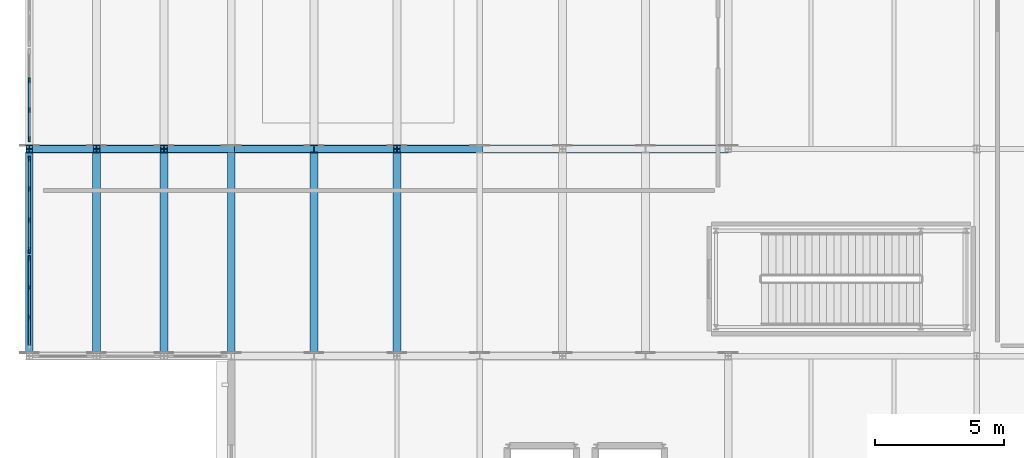
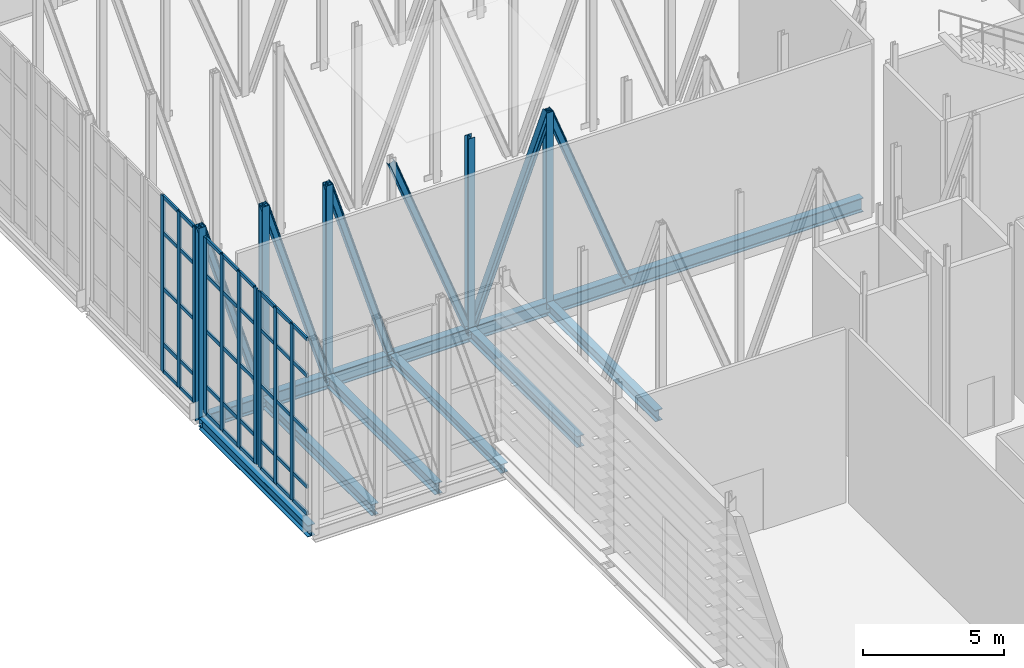
# One storey, part 17 of 73: 61 members, 7 beams, 3 elements without a shape of their own.
"""IFC4 building model written with IfcOpenShell, lengths in metres."""

from ifc_helpers import new_model, si_unit, direction, frame, origin, origin_2d, place, context, subcontext, project, spatial, rectangle, i_section, extrude, material, layer, layer_set, material_profile, profile_set, type_object, element, aggregate, save


model = new_model("IFC4")

# Units and contexts
model_context = context("Model", 3, precision=1e-05, world=origin(), true_north=direction((0.0, 1.0)))
body_context = subcontext(model_context, "Body", "Model", "MODEL_VIEW")
ifc_project = project(units=[si_unit("LENGTHUNIT", "METRE"), si_unit("AREAUNIT", "SQUARE_METRE"), si_unit("VOLUMEUNIT", "CUBIC_METRE"), si_unit("PLANEANGLEUNIT", "RADIAN"), si_unit("MASSUNIT", "GRAM", prefix="KILO")], contexts=[model_context])

# Site, building, storey
site_placement = place(None, origin())
site = spatial("IfcSite", under=ifc_project, at=site_placement, CompositionType="ELEMENT")
building_placement = place(site_placement, origin())
building = spatial("IfcBuilding", under=site, at=building_placement, Name="Alderhovde Museum", CompositionType="ELEMENT")
storey_placement = place(building_placement, frame((0.0, 0.0, 17.39990234375)))
storey = spatial("IfcBuildingStorey", under=building, at=storey_placement, Name="L04", CompositionType="ELEMENT", Elevation=17.39990234375)

# Beams
ifc_material_1 = material(Name="Steel S355J2", Category="steel")
ifc_material_profile_1 = material_profile(ifc_material_1, i_section(OverallWidth=0.300048828125, OverallDepth=0.389892578125, WebThickness=0.010986328125, FlangeThickness=0.01904296875, FilletRadius=0.027099609375, at=origin_2d()), Name="HEA 400")
ifc_profile_set_1 = profile_set([ifc_material_profile_1], Name="Steel S355J2")
beam_type_1 = type_object("IfcBeamType", Name="BM-HEA400", PredefinedType="BEAM", material=ifc_profile_set_1)
beam_1_placement = place(storey_placement, frame((9.60009765625, 80.0, -0.474853515625), z_axis=(0.0, 1.0, 0.0), x_axis=(-1.0, 0.0, 0.0)))
element("IfcBeam", 1, at=beam_1_placement, inside=storey, type_object=beam_type_1, Name="L04 Grid Beam X=9.6 (80.0 TO 88.0)", PredefinedType="BEAM", context=body_context, shape_type="SweptSolid", body=[
    extrude(i_section(OverallWidth=0.300048828125, OverallDepth=0.389892578125, WebThickness=0.010986328125, FlangeThickness=0.01904296875, FilletRadius=0.027099609375, at=origin_2d()), origin(), (0.0, 0.0, 1.0), 8.0),
])
ifc_material_2 = material(Name="Steel S355J2", Category="steel")
ifc_material_profile_2 = material_profile(ifc_material_2, i_section(OverallWidth=0.300048828125, OverallDepth=0.489990234375, WebThickness=0.011962890625, FlangeThickness=0.02294921875, FilletRadius=0.027099609375, at=origin_2d()), Name="HEA 500")
ifc_profile_set_2 = profile_set([ifc_material_profile_2], Name="Steel S355J2")
beam_type_2 = type_object("IfcBeamType", Name="BM-HEA500", PredefinedType="BEAM", material=ifc_profile_set_2)
for number, where, z_axis, x_axis, name in (
    (2, (1.800048828125, 80.14990234375, -0.52490234375), (0.0, 1.0, 0.0), (-1.0, 0.0, 0.0), "L04 Transfer Transverse Beam X=1.8"),
    (3, (4.39990234375, 80.14990234375, -0.52490234375), (0.0, 1.0, 0.0), (-1.0, 0.0, 0.0), "L04 Transfer Transverse Beam X=4.4"),
    (4, (7.0, 80.14990234375, -0.52490234375), (0.0, 1.0, 0.0), (-1.0, 0.0, 0.0), "L04 Transfer Transverse Beam X=7.0"),
    (5, (12.800048828125, 80.14990234375, -0.52490234375), (0.0, 1.0, 0.0), (-1.0, 0.0, 0.0), "L04 Transfer Transverse Beam X=12.8"),
    (6, (16.0, 80.14990234375, -0.52490234375), (0.0, 1.0, 0.0), (-1.0, 0.0, 0.0), "L04 Transfer Transverse Beam X=16.0"),
):
    element("IfcBeam", number, at=place(storey_placement, frame(where, z_axis=z_axis, x_axis=x_axis)), inside=storey, type_object=beam_type_2, Name=name, PredefinedType="BEAM", context=body_context, shape_type="SweptSolid", body=[
        extrude(i_section(OverallWidth=0.300048828125, OverallDepth=0.489990234375, WebThickness=0.011962890625, FlangeThickness=0.02294921875, FilletRadius=0.027099609375, at=origin_2d()), origin(), (0.0, 0.0, 1.0), 7.7001953125),
    ])
ifc_material_3 = material(Name="Steel S355J2", Category="steel")
ifc_material_profile_3 = material_profile(ifc_material_3, i_section(OverallWidth=0.300048828125, OverallDepth=0.60009765625, WebThickness=0.015380859375, FlangeThickness=0.030029296875, FilletRadius=0.027099609375, at=origin_2d()), Name="HEB 600")
ifc_profile_set_3 = profile_set([ifc_material_profile_3], Name="Steel S355J2")
beam_type_3 = type_object("IfcBeamType", Name="BM-HEB600", PredefinedType="BEAM", material=ifc_profile_set_3)
beam_2_placement = place(storey_placement, frame((1.800048828125, 88.0, -0.579833984375), z_axis=(1.0, 0.0, 0.0), x_axis=(0.0, 1.0, 0.0)))
element("IfcBeam", 7, at=beam_2_placement, inside=storey, type_object=beam_type_3, Name="Transfer Truss Y=88 MID Continuous Chord", PredefinedType="BEAM", context=body_context, shape_type="SweptSolid", body=[
    extrude(i_section(OverallWidth=0.300048828125, OverallDepth=0.60009765625, WebThickness=0.015380859375, FlangeThickness=0.030029296875, FilletRadius=0.027099609375, at=origin_2d()), origin(), (0.0, 0.0, 1.0), 27.0),
])

# Curtain wall, members
ifc_material_4 = material(Name="Triple-Glazed Bronze-Anodised Curtain Wall", Category="glass")
ifc_layer_1 = layer(ifc_material_4, 0.219970703125)
ifc_layer_set_1 = layer_set([ifc_layer_1], Name="Triple-Glazed Bronze-Anodised Curtain Wall")
curtain_wall_type_1 = type_object("IfcCurtainWallType", Name="CW-UNIT-345x760", PredefinedType="USERDEFINED", material=ifc_layer_set_1)
curtain_wall_1_placement = place(storey_placement, origin())
curtain_wall_1 = element("IfcCurtainWall", 8, at=curtain_wall_1_placement, inside=storey, type_object=curtain_wall_type_1, Name="L04 Unitised Curtain Wall 111", ObjectType="UNITISED CURTAIN WALL", PredefinedType="USERDEFINED")
ifc_material_5 = material(Name="Bronze-Anodised Aluminium EN AW-6063-T6", Category="aluminium")
ifc_material_profile_4 = material_profile(ifc_material_5, rectangle(XDim=0.074951171875, YDim=0.219970703125, at=origin_2d()), Name="MULLION 75x220")
ifc_profile_set_4 = profile_set([ifc_material_profile_4], Name="Bronze-Anodised Aluminium EN AW-6063-T6")
member_type_1 = type_object("IfcMemberType", Name="CWM-75x220", PredefinedType="MULLION", material=ifc_profile_set_4)
member_1_placement = place(storey_placement, frame((1.800048828125, 81.5, 0.0), z_axis=(0.0, 0.0, 1.0), x_axis=(-1.0, 0.0, 0.0)))
member_1 = element("IfcMember", 9, at=member_1_placement, type_object=member_type_1, Name="CW27 mullion 2", PredefinedType="MULLION", context=body_context, shape_type="SweptSolid", body=[
    extrude(rectangle(XDim=0.074951171875, YDim=0.219970703125, at=origin_2d()), origin(), (0.0, 0.0, 1.0), 7.60009765625),
])
member_2_placement = place(storey_placement, frame((1.800048828125, 82.64990234375, 0.0), z_axis=(0.0, 0.0, 1.0), x_axis=(-1.0, 0.0, 0.0)))
member_2 = element("IfcMember", 10, at=member_2_placement, type_object=member_type_1, Name="CW27 mullion 3", PredefinedType="MULLION", context=body_context, shape_type="SweptSolid", body=[
    extrude(rectangle(XDim=0.074951171875, YDim=0.219970703125, at=origin_2d()), origin(), (0.0, 0.0, 1.0), 7.60009765625),
])
member_3_placement = place(storey_placement, frame((1.800048828125, 83.762451171875, 0.0), z_axis=(0.0, 0.0, 1.0), x_axis=(-1.0, 0.0, 0.0)))
member_3 = element("IfcMember", 11, at=member_3_placement, type_object=member_type_1, Name="CW27 mullion 4", PredefinedType="MULLION", context=body_context, shape_type="SweptSolid", body=[
    extrude(rectangle(XDim=0.074951171875, YDim=0.219970703125, at=origin_2d()), origin(), (0.0, 0.0, 1.0), 7.60009765625),
])

ifc_material_6 = material(Name="Triple-Glazed Bronze-Anodised Curtain Wall", Category="glass")
ifc_layer_2 = layer(ifc_material_6, 0.219970703125)
ifc_layer_set_2 = layer_set([ifc_layer_2], Name="Triple-Glazed Bronze-Anodised Curtain Wall")
curtain_wall_type_2 = type_object("IfcCurtainWallType", Name="CW-UNIT-360x760", PredefinedType="USERDEFINED", material=ifc_layer_set_2)
curtain_wall_2_placement = place(storey_placement, origin())
curtain_wall_2 = element("IfcCurtainWall", 12, at=curtain_wall_2_placement, inside=storey, type_object=curtain_wall_type_2, Name="L04 Unitised Curtain Wall 112", ObjectType="UNITISED CURTAIN WALL", PredefinedType="USERDEFINED")
member_4_placement = place(storey_placement, frame((1.800048828125, 84.08740234375, 0.0), z_axis=(0.0, 0.0, 1.0), x_axis=(-1.0, 0.0, 0.0)))
member_4 = element("IfcMember", 13, at=member_4_placement, type_object=member_type_1, Name="CW28 mullion 1", PredefinedType="MULLION", context=body_context, shape_type="SweptSolid", body=[
    extrude(rectangle(XDim=0.074951171875, YDim=0.219970703125, at=origin_2d()), origin(), (0.0, 0.0, 1.0), 7.60009765625),
])
member_5_placement = place(storey_placement, frame((1.800048828125, 85.25, 0.0), z_axis=(0.0, 0.0, 1.0), x_axis=(-1.0, 0.0, 0.0)))
member_5 = element("IfcMember", 14, at=member_5_placement, type_object=member_type_1, Name="CW28 mullion 2", PredefinedType="MULLION", context=body_context, shape_type="SweptSolid", body=[
    extrude(rectangle(XDim=0.074951171875, YDim=0.219970703125, at=origin_2d()), origin(), (0.0, 0.0, 1.0), 7.60009765625),
])
member_6_placement = place(storey_placement, frame((1.800048828125, 86.449951171875, 0.0), z_axis=(0.0, 0.0, 1.0), x_axis=(-1.0, 0.0, 0.0)))
member_6 = element("IfcMember", 15, at=member_6_placement, type_object=member_type_1, Name="CW28 mullion 3", PredefinedType="MULLION", context=body_context, shape_type="SweptSolid", body=[
    extrude(rectangle(XDim=0.074951171875, YDim=0.219970703125, at=origin_2d()), origin(), (0.0, 0.0, 1.0), 7.60009765625),
])
member_7_placement = place(storey_placement, frame((1.800048828125, 87.612548828125, 0.0), z_axis=(0.0, 0.0, 1.0), x_axis=(-1.0, 0.0, 0.0)))
member_7 = element("IfcMember", 16, at=member_7_placement, type_object=member_type_1, Name="CW28 mullion 4", PredefinedType="MULLION", context=body_context, shape_type="SweptSolid", body=[
    extrude(rectangle(XDim=0.074951171875, YDim=0.219970703125, at=origin_2d()), origin(), (0.0, 0.0, 1.0), 7.60009765625),
])

curtain_wall_3_placement = place(storey_placement, origin())
curtain_wall_3 = element("IfcCurtainWall", 17, at=curtain_wall_3_placement, inside=storey, type_object=curtain_wall_type_1, Name="L04 Unitised Curtain Wall 113", ObjectType="UNITISED CURTAIN WALL", PredefinedType="USERDEFINED")
member_8_placement = place(storey_placement, frame((1.800048828125, 88.387451171875, 0.0), z_axis=(0.0, 0.0, 1.0), x_axis=(-1.0, 0.0, 0.0)))
member_8 = element("IfcMember", 18, at=member_8_placement, type_object=member_type_1, Name="CW27 mullion 1", PredefinedType="MULLION", context=body_context, shape_type="SweptSolid", body=[
    extrude(rectangle(XDim=0.074951171875, YDim=0.219970703125, at=origin_2d()), origin(), (0.0, 0.0, 1.0), 7.60009765625),
])
member_9_placement = place(storey_placement, frame((1.800048828125, 89.5, 0.0), z_axis=(0.0, 0.0, 1.0), x_axis=(-1.0, 0.0, 0.0)))
member_9 = element("IfcMember", 19, at=member_9_placement, type_object=member_type_1, Name="CW27 mullion 2", PredefinedType="MULLION", context=body_context, shape_type="SweptSolid", body=[
    extrude(rectangle(XDim=0.074951171875, YDim=0.219970703125, at=origin_2d()), origin(), (0.0, 0.0, 1.0), 7.60009765625),
])
member_10_placement = place(storey_placement, frame((1.800048828125, 90.64990234375, 0.0), z_axis=(0.0, 0.0, 1.0), x_axis=(-1.0, 0.0, 0.0)))
member_10 = element("IfcMember", 20, at=member_10_placement, type_object=member_type_1, Name="CW27 mullion 3", PredefinedType="MULLION", context=body_context, shape_type="SweptSolid", body=[
    extrude(rectangle(XDim=0.074951171875, YDim=0.219970703125, at=origin_2d()), origin(), (0.0, 0.0, 1.0), 7.60009765625),
])

# Member
ifc_material_7 = material(Name="Bronze-Anodised Aluminium EN AW-6063-T6", Category="aluminium")
ifc_material_profile_5 = material_profile(ifc_material_7, rectangle(XDim=0.074951171875, YDim=0.159912109375, at=origin_2d()), Name="TRANSOM 75x160")
ifc_profile_set_5 = profile_set([ifc_material_profile_5], Name="Bronze-Anodised Aluminium EN AW-6063-T6")
member_type_2 = type_object("IfcMemberType", Name="CWT-75x160", PredefinedType="USERDEFINED", material=ifc_profile_set_5)
member_11_placement = place(storey_placement, frame((1.800048828125, 80.425048828125, 0.03759765625), z_axis=(0.0, 1.0, 0.0), x_axis=(-1.0, 0.0, 0.0)))
member_11 = element("IfcMember", 21, at=member_11_placement, type_object=member_type_2, Name="CW27 transom 1.1", ObjectType="TRANSOM", PredefinedType="USERDEFINED", context=body_context, shape_type="SweptSolid", body=[
    extrude(rectangle(XDim=0.074951171875, YDim=0.159912109375, at=origin_2d()), origin(), (0.0, 0.0, 1.0), 1.037353515625),
])

member_12_placement = place(storey_placement, frame((1.800048828125, 80.425048828125, 1.2001953125), z_axis=(0.0, 1.0, 0.0), x_axis=(-1.0, 0.0, 0.0)))
member_12 = element("IfcMember", 22, at=member_12_placement, type_object=member_type_2, Name="CW27 transom 1.2", ObjectType="TRANSOM", PredefinedType="USERDEFINED", context=body_context, shape_type="SweptSolid", body=[
    extrude(rectangle(XDim=0.074951171875, YDim=0.159912109375, at=origin_2d()), origin(), (0.0, 0.0, 1.0), 1.037353515625),
])

member_13_placement = place(storey_placement, frame((1.800048828125, 80.425048828125, 3.60009765625), z_axis=(0.0, 1.0, 0.0), x_axis=(-1.0, 0.0, 0.0)))
member_13 = element("IfcMember", 23, at=member_13_placement, type_object=member_type_2, Name="CW27 transom 1.3", ObjectType="TRANSOM", PredefinedType="USERDEFINED", context=body_context, shape_type="SweptSolid", body=[
    extrude(rectangle(XDim=0.074951171875, YDim=0.159912109375, at=origin_2d()), origin(), (0.0, 0.0, 1.0), 1.037353515625),
])

member_14_placement = place(storey_placement, frame((1.800048828125, 80.425048828125, 6.0), z_axis=(0.0, 1.0, 0.0), x_axis=(-1.0, 0.0, 0.0)))
member_14 = element("IfcMember", 24, at=member_14_placement, type_object=member_type_2, Name="CW27 transom 1.4", ObjectType="TRANSOM", PredefinedType="USERDEFINED", context=body_context, shape_type="SweptSolid", body=[
    extrude(rectangle(XDim=0.074951171875, YDim=0.159912109375, at=origin_2d()), origin(), (0.0, 0.0, 1.0), 1.037353515625),
])

member_15_placement = place(storey_placement, frame((1.800048828125, 80.425048828125, 7.5625), z_axis=(0.0, 1.0, 0.0), x_axis=(-1.0, 0.0, 0.0)))
member_15 = element("IfcMember", 25, at=member_15_placement, type_object=member_type_2, Name="CW27 transom 1.5", ObjectType="TRANSOM", PredefinedType="USERDEFINED", context=body_context, shape_type="SweptSolid", body=[
    extrude(rectangle(XDim=0.074951171875, YDim=0.159912109375, at=origin_2d()), origin(), (0.0, 0.0, 1.0), 1.037353515625),
])

member_16_placement = place(storey_placement, frame((1.800048828125, 81.53759765625, 0.03759765625), z_axis=(0.0, 1.0, 0.0), x_axis=(-1.0, 0.0, 0.0)))
member_16 = element("IfcMember", 26, at=member_16_placement, type_object=member_type_2, Name="CW27 transom 2.1", ObjectType="TRANSOM", PredefinedType="USERDEFINED", context=body_context, shape_type="SweptSolid", body=[
    extrude(rectangle(XDim=0.074951171875, YDim=0.159912109375, at=origin_2d()), origin(), (0.0, 0.0, 1.0), 1.074951171875),
])

member_17_placement = place(storey_placement, frame((1.800048828125, 81.53759765625, 1.2001953125), z_axis=(0.0, 1.0, 0.0), x_axis=(-1.0, 0.0, 0.0)))
member_17 = element("IfcMember", 27, at=member_17_placement, type_object=member_type_2, Name="CW27 transom 2.2", ObjectType="TRANSOM", PredefinedType="USERDEFINED", context=body_context, shape_type="SweptSolid", body=[
    extrude(rectangle(XDim=0.074951171875, YDim=0.159912109375, at=origin_2d()), origin(), (0.0, 0.0, 1.0), 1.074951171875),
])

member_18_placement = place(storey_placement, frame((1.800048828125, 81.53759765625, 3.60009765625), z_axis=(0.0, 1.0, 0.0), x_axis=(-1.0, 0.0, 0.0)))
member_18 = element("IfcMember", 28, at=member_18_placement, type_object=member_type_2, Name="CW27 transom 2.3", ObjectType="TRANSOM", PredefinedType="USERDEFINED", context=body_context, shape_type="SweptSolid", body=[
    extrude(rectangle(XDim=0.074951171875, YDim=0.159912109375, at=origin_2d()), origin(), (0.0, 0.0, 1.0), 1.074951171875),
])

member_19_placement = place(storey_placement, frame((1.800048828125, 81.53759765625, 6.0), z_axis=(0.0, 1.0, 0.0), x_axis=(-1.0, 0.0, 0.0)))
member_19 = element("IfcMember", 29, at=member_19_placement, type_object=member_type_2, Name="CW27 transom 2.4", ObjectType="TRANSOM", PredefinedType="USERDEFINED", context=body_context, shape_type="SweptSolid", body=[
    extrude(rectangle(XDim=0.074951171875, YDim=0.159912109375, at=origin_2d()), origin(), (0.0, 0.0, 1.0), 1.074951171875),
])

member_20_placement = place(storey_placement, frame((1.800048828125, 81.53759765625, 7.5625), z_axis=(0.0, 1.0, 0.0), x_axis=(-1.0, 0.0, 0.0)))
member_20 = element("IfcMember", 30, at=member_20_placement, type_object=member_type_2, Name="CW27 transom 2.5", ObjectType="TRANSOM", PredefinedType="USERDEFINED", context=body_context, shape_type="SweptSolid", body=[
    extrude(rectangle(XDim=0.074951171875, YDim=0.159912109375, at=origin_2d()), origin(), (0.0, 0.0, 1.0), 1.074951171875),
])

member_21_placement = place(storey_placement, frame((1.800048828125, 82.6875, 0.03759765625), z_axis=(0.0, 1.0, 0.0), x_axis=(-1.0, 0.0, 0.0)))
member_21 = element("IfcMember", 31, at=member_21_placement, type_object=member_type_2, Name="CW27 transom 3.1", ObjectType="TRANSOM", PredefinedType="USERDEFINED", context=body_context, shape_type="SweptSolid", body=[
    extrude(rectangle(XDim=0.074951171875, YDim=0.159912109375, at=origin_2d()), origin(), (0.0, 0.0, 1.0), 1.03759765625),
])

member_22_placement = place(storey_placement, frame((1.800048828125, 82.6875, 1.2001953125), z_axis=(0.0, 1.0, 0.0), x_axis=(-1.0, 0.0, 0.0)))
member_22 = element("IfcMember", 32, at=member_22_placement, type_object=member_type_2, Name="CW27 transom 3.2", ObjectType="TRANSOM", PredefinedType="USERDEFINED", context=body_context, shape_type="SweptSolid", body=[
    extrude(rectangle(XDim=0.074951171875, YDim=0.159912109375, at=origin_2d()), origin(), (0.0, 0.0, 1.0), 1.03759765625),
])

member_23_placement = place(storey_placement, frame((1.800048828125, 82.6875, 3.60009765625), z_axis=(0.0, 1.0, 0.0), x_axis=(-1.0, 0.0, 0.0)))
member_23 = element("IfcMember", 33, at=member_23_placement, type_object=member_type_2, Name="CW27 transom 3.3", ObjectType="TRANSOM", PredefinedType="USERDEFINED", context=body_context, shape_type="SweptSolid", body=[
    extrude(rectangle(XDim=0.074951171875, YDim=0.159912109375, at=origin_2d()), origin(), (0.0, 0.0, 1.0), 1.03759765625),
])

member_24_placement = place(storey_placement, frame((1.800048828125, 82.6875, 6.0), z_axis=(0.0, 1.0, 0.0), x_axis=(-1.0, 0.0, 0.0)))
member_24 = element("IfcMember", 34, at=member_24_placement, type_object=member_type_2, Name="CW27 transom 3.4", ObjectType="TRANSOM", PredefinedType="USERDEFINED", context=body_context, shape_type="SweptSolid", body=[
    extrude(rectangle(XDim=0.074951171875, YDim=0.159912109375, at=origin_2d()), origin(), (0.0, 0.0, 1.0), 1.03759765625),
])

member_25_placement = place(storey_placement, frame((1.800048828125, 82.6875, 7.5625), z_axis=(0.0, 1.0, 0.0), x_axis=(-1.0, 0.0, 0.0)))
member_25 = element("IfcMember", 35, at=member_25_placement, type_object=member_type_2, Name="CW27 transom 3.5", ObjectType="TRANSOM", PredefinedType="USERDEFINED", context=body_context, shape_type="SweptSolid", body=[
    extrude(rectangle(XDim=0.074951171875, YDim=0.159912109375, at=origin_2d()), origin(), (0.0, 0.0, 1.0), 1.03759765625),
])

aggregate(curtain_wall_1, [member_1, member_2, member_3, member_11, member_12, member_13, member_14, member_15, member_16, member_17, member_18, member_19, member_20, member_21, member_22, member_23, member_24, member_25])

member_26_placement = place(storey_placement, frame((1.800048828125, 84.125, 0.03759765625), z_axis=(0.0, 1.0, 0.0), x_axis=(-1.0, 0.0, 0.0)))
member_26 = element("IfcMember", 36, at=member_26_placement, type_object=member_type_2, Name="CW28 transom 1.1", ObjectType="TRANSOM", PredefinedType="USERDEFINED", context=body_context, shape_type="SweptSolid", body=[
    extrude(rectangle(XDim=0.074951171875, YDim=0.159912109375, at=origin_2d()), origin(), (0.0, 0.0, 1.0), 1.08740234375),
])

member_27_placement = place(storey_placement, frame((1.800048828125, 84.125, 1.2001953125), z_axis=(0.0, 1.0, 0.0), x_axis=(-1.0, 0.0, 0.0)))
member_27 = element("IfcMember", 37, at=member_27_placement, type_object=member_type_2, Name="CW28 transom 1.2", ObjectType="TRANSOM", PredefinedType="USERDEFINED", context=body_context, shape_type="SweptSolid", body=[
    extrude(rectangle(XDim=0.074951171875, YDim=0.159912109375, at=origin_2d()), origin(), (0.0, 0.0, 1.0), 1.08740234375),
])

member_28_placement = place(storey_placement, frame((1.800048828125, 84.125, 3.60009765625), z_axis=(0.0, 1.0, 0.0), x_axis=(-1.0, 0.0, 0.0)))
member_28 = element("IfcMember", 38, at=member_28_placement, type_object=member_type_2, Name="CW28 transom 1.3", ObjectType="TRANSOM", PredefinedType="USERDEFINED", context=body_context, shape_type="SweptSolid", body=[
    extrude(rectangle(XDim=0.074951171875, YDim=0.159912109375, at=origin_2d()), origin(), (0.0, 0.0, 1.0), 1.08740234375),
])

member_29_placement = place(storey_placement, frame((1.800048828125, 84.125, 6.0), z_axis=(0.0, 1.0, 0.0), x_axis=(-1.0, 0.0, 0.0)))
member_29 = element("IfcMember", 39, at=member_29_placement, type_object=member_type_2, Name="CW28 transom 1.4", ObjectType="TRANSOM", PredefinedType="USERDEFINED", context=body_context, shape_type="SweptSolid", body=[
    extrude(rectangle(XDim=0.074951171875, YDim=0.159912109375, at=origin_2d()), origin(), (0.0, 0.0, 1.0), 1.08740234375),
])

member_30_placement = place(storey_placement, frame((1.800048828125, 84.125, 7.5625), z_axis=(0.0, 1.0, 0.0), x_axis=(-1.0, 0.0, 0.0)))
member_30 = element("IfcMember", 40, at=member_30_placement, type_object=member_type_2, Name="CW28 transom 1.5", ObjectType="TRANSOM", PredefinedType="USERDEFINED", context=body_context, shape_type="SweptSolid", body=[
    extrude(rectangle(XDim=0.074951171875, YDim=0.159912109375, at=origin_2d()), origin(), (0.0, 0.0, 1.0), 1.08740234375),
])

member_31_placement = place(storey_placement, frame((1.800048828125, 85.28759765625, 0.03759765625), z_axis=(0.0, 1.0, 0.0), x_axis=(-1.0, 0.0, 0.0)))
member_31 = element("IfcMember", 41, at=member_31_placement, type_object=member_type_2, Name="CW28 transom 2.1", ObjectType="TRANSOM", PredefinedType="USERDEFINED", context=body_context, shape_type="SweptSolid", body=[
    extrude(rectangle(XDim=0.074951171875, YDim=0.159912109375, at=origin_2d()), origin(), (0.0, 0.0, 1.0), 1.125),
])

member_32_placement = place(storey_placement, frame((1.800048828125, 85.28759765625, 1.2001953125), z_axis=(0.0, 1.0, 0.0), x_axis=(-1.0, 0.0, 0.0)))
member_32 = element("IfcMember", 42, at=member_32_placement, type_object=member_type_2, Name="CW28 transom 2.2", ObjectType="TRANSOM", PredefinedType="USERDEFINED", context=body_context, shape_type="SweptSolid", body=[
    extrude(rectangle(XDim=0.074951171875, YDim=0.159912109375, at=origin_2d()), origin(), (0.0, 0.0, 1.0), 1.125),
])

member_33_placement = place(storey_placement, frame((1.800048828125, 85.28759765625, 3.60009765625), z_axis=(0.0, 1.0, 0.0), x_axis=(-1.0, 0.0, 0.0)))
member_33 = element("IfcMember", 43, at=member_33_placement, type_object=member_type_2, Name="CW28 transom 2.3", ObjectType="TRANSOM", PredefinedType="USERDEFINED", context=body_context, shape_type="SweptSolid", body=[
    extrude(rectangle(XDim=0.074951171875, YDim=0.159912109375, at=origin_2d()), origin(), (0.0, 0.0, 1.0), 1.125),
])

member_34_placement = place(storey_placement, frame((1.800048828125, 85.28759765625, 6.0), z_axis=(0.0, 1.0, 0.0), x_axis=(-1.0, 0.0, 0.0)))
member_34 = element("IfcMember", 44, at=member_34_placement, type_object=member_type_2, Name="CW28 transom 2.4", ObjectType="TRANSOM", PredefinedType="USERDEFINED", context=body_context, shape_type="SweptSolid", body=[
    extrude(rectangle(XDim=0.074951171875, YDim=0.159912109375, at=origin_2d()), origin(), (0.0, 0.0, 1.0), 1.125),
])

member_35_placement = place(storey_placement, frame((1.800048828125, 85.28759765625, 7.5625), z_axis=(0.0, 1.0, 0.0), x_axis=(-1.0, 0.0, 0.0)))
member_35 = element("IfcMember", 45, at=member_35_placement, type_object=member_type_2, Name="CW28 transom 2.5", ObjectType="TRANSOM", PredefinedType="USERDEFINED", context=body_context, shape_type="SweptSolid", body=[
    extrude(rectangle(XDim=0.074951171875, YDim=0.159912109375, at=origin_2d()), origin(), (0.0, 0.0, 1.0), 1.125),
])

member_36_placement = place(storey_placement, frame((1.800048828125, 86.487548828125, 0.03759765625), z_axis=(0.0, 1.0, 0.0), x_axis=(-1.0, 0.0, 0.0)))
member_36 = element("IfcMember", 46, at=member_36_placement, type_object=member_type_2, Name="CW28 transom 3.1", ObjectType="TRANSOM", PredefinedType="USERDEFINED", context=body_context, shape_type="SweptSolid", body=[
    extrude(rectangle(XDim=0.074951171875, YDim=0.159912109375, at=origin_2d()), origin(), (0.0, 0.0, 1.0), 1.08740234375),
])

member_37_placement = place(storey_placement, frame((1.800048828125, 86.487548828125, 1.2001953125), z_axis=(0.0, 1.0, 0.0), x_axis=(-1.0, 0.0, 0.0)))
member_37 = element("IfcMember", 47, at=member_37_placement, type_object=member_type_2, Name="CW28 transom 3.2", ObjectType="TRANSOM", PredefinedType="USERDEFINED", context=body_context, shape_type="SweptSolid", body=[
    extrude(rectangle(XDim=0.074951171875, YDim=0.159912109375, at=origin_2d()), origin(), (0.0, 0.0, 1.0), 1.08740234375),
])

member_38_placement = place(storey_placement, frame((1.800048828125, 86.487548828125, 3.60009765625), z_axis=(0.0, 1.0, 0.0), x_axis=(-1.0, 0.0, 0.0)))
member_38 = element("IfcMember", 48, at=member_38_placement, type_object=member_type_2, Name="CW28 transom 3.3", ObjectType="TRANSOM", PredefinedType="USERDEFINED", context=body_context, shape_type="SweptSolid", body=[
    extrude(rectangle(XDim=0.074951171875, YDim=0.159912109375, at=origin_2d()), origin(), (0.0, 0.0, 1.0), 1.08740234375),
])

member_39_placement = place(storey_placement, frame((1.800048828125, 86.487548828125, 6.0), z_axis=(0.0, 1.0, 0.0), x_axis=(-1.0, 0.0, 0.0)))
member_39 = element("IfcMember", 49, at=member_39_placement, type_object=member_type_2, Name="CW28 transom 3.4", ObjectType="TRANSOM", PredefinedType="USERDEFINED", context=body_context, shape_type="SweptSolid", body=[
    extrude(rectangle(XDim=0.074951171875, YDim=0.159912109375, at=origin_2d()), origin(), (0.0, 0.0, 1.0), 1.08740234375),
])

member_40_placement = place(storey_placement, frame((1.800048828125, 86.487548828125, 7.5625), z_axis=(0.0, 1.0, 0.0), x_axis=(-1.0, 0.0, 0.0)))
member_40 = element("IfcMember", 50, at=member_40_placement, type_object=member_type_2, Name="CW28 transom 3.5", ObjectType="TRANSOM", PredefinedType="USERDEFINED", context=body_context, shape_type="SweptSolid", body=[
    extrude(rectangle(XDim=0.074951171875, YDim=0.159912109375, at=origin_2d()), origin(), (0.0, 0.0, 1.0), 1.08740234375),
])

aggregate(curtain_wall_2, [member_4, member_5, member_6, member_7, member_26, member_27, member_28, member_29, member_30, member_31, member_32, member_33, member_34, member_35, member_36, member_37, member_38, member_39, member_40])

member_41_placement = place(storey_placement, frame((1.800048828125, 88.425048828125, 0.03759765625), z_axis=(0.0, 1.0, 0.0), x_axis=(-1.0, 0.0, 0.0)))
member_41 = element("IfcMember", 51, at=member_41_placement, type_object=member_type_2, Name="CW27 transom 1.1", ObjectType="TRANSOM", PredefinedType="USERDEFINED", context=body_context, shape_type="SweptSolid", body=[
    extrude(rectangle(XDim=0.074951171875, YDim=0.159912109375, at=origin_2d()), origin(), (0.0, 0.0, 1.0), 1.037353515625),
])

member_42_placement = place(storey_placement, frame((1.800048828125, 88.425048828125, 1.2001953125), z_axis=(0.0, 1.0, 0.0), x_axis=(-1.0, 0.0, 0.0)))
member_42 = element("IfcMember", 52, at=member_42_placement, type_object=member_type_2, Name="CW27 transom 1.2", ObjectType="TRANSOM", PredefinedType="USERDEFINED", context=body_context, shape_type="SweptSolid", body=[
    extrude(rectangle(XDim=0.074951171875, YDim=0.159912109375, at=origin_2d()), origin(), (0.0, 0.0, 1.0), 1.037353515625),
])

member_43_placement = place(storey_placement, frame((1.800048828125, 88.425048828125, 3.60009765625), z_axis=(0.0, 1.0, 0.0), x_axis=(-1.0, 0.0, 0.0)))
member_43 = element("IfcMember", 53, at=member_43_placement, type_object=member_type_2, Name="CW27 transom 1.3", ObjectType="TRANSOM", PredefinedType="USERDEFINED", context=body_context, shape_type="SweptSolid", body=[
    extrude(rectangle(XDim=0.074951171875, YDim=0.159912109375, at=origin_2d()), origin(), (0.0, 0.0, 1.0), 1.037353515625),
])

member_44_placement = place(storey_placement, frame((1.800048828125, 88.425048828125, 6.0), z_axis=(0.0, 1.0, 0.0), x_axis=(-1.0, 0.0, 0.0)))
member_44 = element("IfcMember", 54, at=member_44_placement, type_object=member_type_2, Name="CW27 transom 1.4", ObjectType="TRANSOM", PredefinedType="USERDEFINED", context=body_context, shape_type="SweptSolid", body=[
    extrude(rectangle(XDim=0.074951171875, YDim=0.159912109375, at=origin_2d()), origin(), (0.0, 0.0, 1.0), 1.037353515625),
])

member_45_placement = place(storey_placement, frame((1.800048828125, 88.425048828125, 7.5625), z_axis=(0.0, 1.0, 0.0), x_axis=(-1.0, 0.0, 0.0)))
member_45 = element("IfcMember", 55, at=member_45_placement, type_object=member_type_2, Name="CW27 transom 1.5", ObjectType="TRANSOM", PredefinedType="USERDEFINED", context=body_context, shape_type="SweptSolid", body=[
    extrude(rectangle(XDim=0.074951171875, YDim=0.159912109375, at=origin_2d()), origin(), (0.0, 0.0, 1.0), 1.037353515625),
])

member_46_placement = place(storey_placement, frame((1.800048828125, 89.53759765625, 0.03759765625), z_axis=(0.0, 1.0, 0.0), x_axis=(-1.0, 0.0, 0.0)))
member_46 = element("IfcMember", 56, at=member_46_placement, type_object=member_type_2, Name="CW27 transom 2.1", ObjectType="TRANSOM", PredefinedType="USERDEFINED", context=body_context, shape_type="SweptSolid", body=[
    extrude(rectangle(XDim=0.074951171875, YDim=0.159912109375, at=origin_2d()), origin(), (0.0, 0.0, 1.0), 1.074951171875),
])

member_47_placement = place(storey_placement, frame((1.800048828125, 89.53759765625, 1.2001953125), z_axis=(0.0, 1.0, 0.0), x_axis=(-1.0, 0.0, 0.0)))
member_47 = element("IfcMember", 57, at=member_47_placement, type_object=member_type_2, Name="CW27 transom 2.2", ObjectType="TRANSOM", PredefinedType="USERDEFINED", context=body_context, shape_type="SweptSolid", body=[
    extrude(rectangle(XDim=0.074951171875, YDim=0.159912109375, at=origin_2d()), origin(), (0.0, 0.0, 1.0), 1.074951171875),
])

member_48_placement = place(storey_placement, frame((1.800048828125, 89.53759765625, 3.60009765625), z_axis=(0.0, 1.0, 0.0), x_axis=(-1.0, 0.0, 0.0)))
member_48 = element("IfcMember", 58, at=member_48_placement, type_object=member_type_2, Name="CW27 transom 2.3", ObjectType="TRANSOM", PredefinedType="USERDEFINED", context=body_context, shape_type="SweptSolid", body=[
    extrude(rectangle(XDim=0.074951171875, YDim=0.159912109375, at=origin_2d()), origin(), (0.0, 0.0, 1.0), 1.074951171875),
])

member_49_placement = place(storey_placement, frame((1.800048828125, 89.53759765625, 6.0), z_axis=(0.0, 1.0, 0.0), x_axis=(-1.0, 0.0, 0.0)))
member_49 = element("IfcMember", 59, at=member_49_placement, type_object=member_type_2, Name="CW27 transom 2.4", ObjectType="TRANSOM", PredefinedType="USERDEFINED", context=body_context, shape_type="SweptSolid", body=[
    extrude(rectangle(XDim=0.074951171875, YDim=0.159912109375, at=origin_2d()), origin(), (0.0, 0.0, 1.0), 1.074951171875),
])

member_50_placement = place(storey_placement, frame((1.800048828125, 89.53759765625, 7.5625), z_axis=(0.0, 1.0, 0.0), x_axis=(-1.0, 0.0, 0.0)))
member_50 = element("IfcMember", 60, at=member_50_placement, type_object=member_type_2, Name="CW27 transom 2.5", ObjectType="TRANSOM", PredefinedType="USERDEFINED", context=body_context, shape_type="SweptSolid", body=[
    extrude(rectangle(XDim=0.074951171875, YDim=0.159912109375, at=origin_2d()), origin(), (0.0, 0.0, 1.0), 1.074951171875),
])

aggregate(curtain_wall_3, [member_8, member_9, member_10, member_41, member_42, member_43, member_44, member_45, member_46, member_47, member_48, member_49, member_50])

# Members
ifc_material_8 = material(Name="Steel S355J2", Category="steel")
ifc_material_profile_6 = material_profile(ifc_material_8, i_section(OverallWidth=0.280029296875, OverallDepth=0.27001953125, WebThickness=0.008056640625, FlangeThickness=0.012939453125, FilletRadius=0.02392578125, at=origin_2d()), Name="HEA 280")
ifc_profile_set_6 = profile_set([ifc_material_profile_6], Name="Steel S355J2")
member_type_3 = type_object("IfcMemberType", Name="TR-DG-HEA280", PredefinedType="STRUT", material=ifc_profile_set_6)
for number, where, z_axis, x_axis, name in (
    (61, (1.800048828125, 88.0, 7.89013671875), (0.293437112853, 0.0, -0.955978378835), (0.0, 1.0, 0.0), "Transfer Truss Y=88 T2 Diagonal 1"),
    (62, (4.39990234375, 88.0, 7.89013671875), (0.293462295251, 0.0, -0.955970648747), (0.0, 1.0, 0.0), "Transfer Truss Y=88 T2 Diagonal 2"),
    (63, (7.0, 88.0, 7.89013671875), (0.293462295251, 0.0, -0.955970648747), (0.0, 1.0, 0.0), "Transfer Truss Y=88 T2 Diagonal 3"),
):
    element("IfcMember", number, at=place(storey_placement, frame(where, z_axis=z_axis, x_axis=x_axis)), inside=storey, type_object=member_type_3, Name=name, PredefinedType="STRUT", context=body_context, shape_type="SweptSolid", body=[
        extrude(i_section(OverallWidth=0.280029296875, OverallDepth=0.27001953125, WebThickness=0.008056640625, FlangeThickness=0.012939453125, FilletRadius=0.02392578125, at=origin_2d()), origin(), (0.0, 0.0, 1.0), 8.860107421875),
    ])
for number, where, z_axis, x_axis, name in (
    (64, (9.60009765625, 88.0, 7.89013671875), (0.353418397118, 0.0, -0.935465358299), (0.0, 1.0, 0.0), "Transfer Truss Y=88 T2 Diagonal 4"),
    (65, (12.800048828125, 88.0, -0.579833984375), (0.353418397118, 0.0, 0.935465358299), (0.0, 1.0, 0.0), "Transfer Truss Y=88 T2 Diagonal 5"),
    (66, (16.0, 88.0, 7.89013671875), (0.353418397118, 0.0, -0.935465358299), (0.0, 1.0, 0.0), "Transfer Truss Y=88 T2 Diagonal 6"),
):
    element("IfcMember", number, at=place(storey_placement, frame(where, z_axis=z_axis, x_axis=x_axis)), inside=storey, type_object=member_type_3, Name=name, PredefinedType="STRUT", context=body_context, shape_type="SweptSolid", body=[
        extrude(i_section(OverallWidth=0.280029296875, OverallDepth=0.27001953125, WebThickness=0.008056640625, FlangeThickness=0.012939453125, FilletRadius=0.02392578125, at=origin_2d()), origin(), (0.0, 0.0, 1.0), 9.05419921875),
    ])
ifc_material_9 = material(Name="Steel S355J2", Category="steel")
ifc_material_profile_7 = material_profile(ifc_material_9, i_section(OverallWidth=0.280029296875, OverallDepth=0.280029296875, WebThickness=0.010498046875, FlangeThickness=0.01806640625, FilletRadius=0.02392578125, at=origin_2d()), Name="HEB 280")
ifc_profile_set_7 = profile_set([ifc_material_profile_7], Name="Steel S355J2")
member_type_4 = type_object("IfcMemberType", Name="TR-PS-HEB280", PredefinedType="POST", material=ifc_profile_set_7)
for number, where, z_axis, x_axis, name in (
    (67, (1.800048828125, 88.0, -0.579833984375), (0.0, 0.0, 1.0), (1.0, 0.0, 0.0), "Transfer Truss Y=88 T2 Post 1"),
    (68, (4.39990234375, 88.0, -0.579833984375), (0.0, 0.0, 1.0), (1.0, 0.0, 0.0), "Transfer Truss Y=88 T2 Post 2"),
    (69, (7.0, 88.0, -0.579833984375), (0.0, 0.0, 1.0), (1.0, 0.0, 0.0), "Transfer Truss Y=88 T2 Post 3"),
    (70, (12.800048828125, 88.0, -0.579833984375), (0.0, 0.0, 1.0), (1.0, 0.0, 0.0), "Transfer Truss Y=88 T2 Post 5"),
    (71, (16.0, 88.0, -0.579833984375), (0.0, 0.0, 1.0), (1.0, 0.0, 0.0), "Transfer Truss Y=88 T2 Post 6"),
):
    element("IfcMember", number, at=place(storey_placement, frame(where, z_axis=z_axis, x_axis=x_axis)), inside=storey, type_object=member_type_4, Name=name, PredefinedType="POST", context=body_context, shape_type="SweptSolid", body=[
        extrude(i_section(OverallWidth=0.280029296875, OverallDepth=0.280029296875, WebThickness=0.010498046875, FlangeThickness=0.01806640625, FilletRadius=0.02392578125, at=origin_2d()), origin(), (0.0, 0.0, 1.0), 8.469970703125),
    ])

save(model, "model.ifc")
